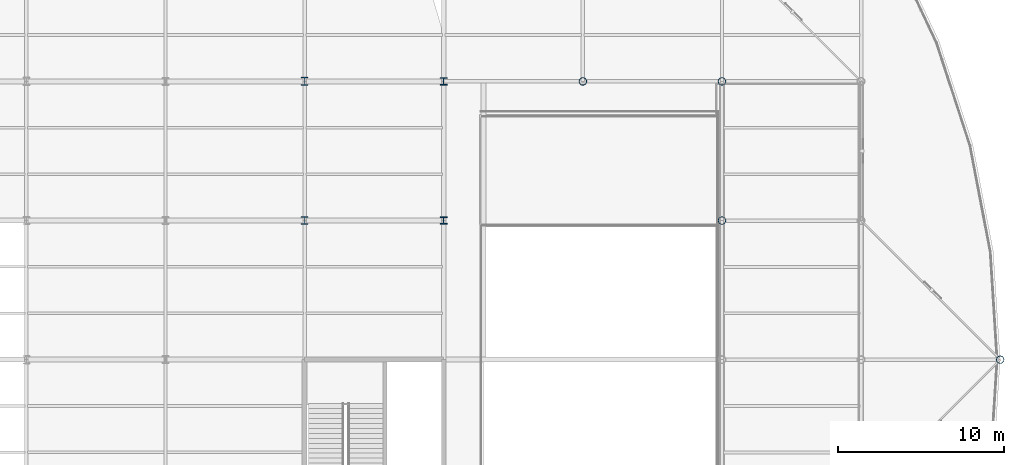
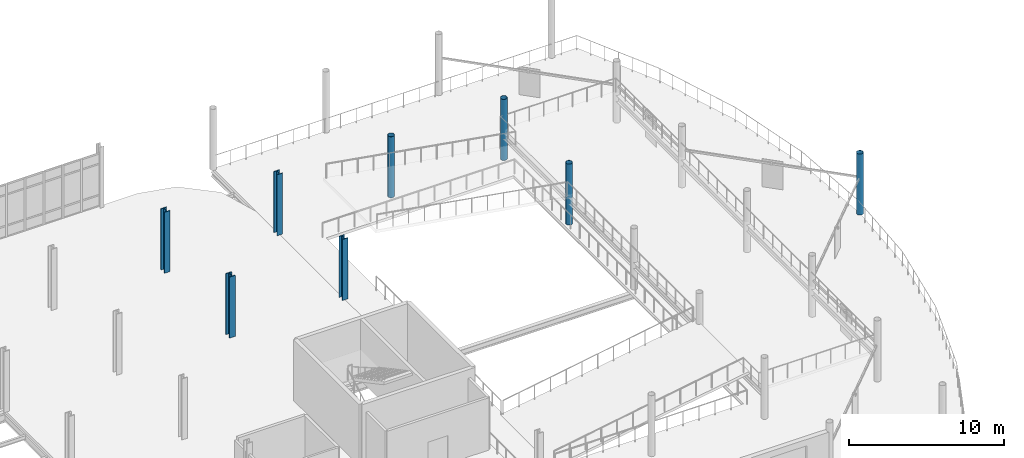
# One storey, part 20 of 145: 8 columns.
"""IFC4 building model written with IfcOpenShell, lengths in metres."""

from ifc_helpers import new_model, si_unit, direction, frame, origin, origin_2d, place, context, subcontext, project, spatial, hollow_circle, i_section, extrude, material, material_profile, profile_set, type_object, element, save


model = new_model("IFC4")

# Units and contexts
model_context = context("Model", 3, precision=1e-05, world=origin(), true_north=direction((0.0, 1.0)))
body_context = subcontext(model_context, "Body", "Model", "MODEL_VIEW")
ifc_project = project(units=[si_unit("LENGTHUNIT", "METRE"), si_unit("AREAUNIT", "SQUARE_METRE"), si_unit("VOLUMEUNIT", "CUBIC_METRE"), si_unit("PLANEANGLEUNIT", "RADIAN"), si_unit("MASSUNIT", "GRAM", prefix="KILO")], contexts=[model_context])

# Site, building, storey
site_placement = place(None, origin())
site = spatial("IfcSite", under=ifc_project, at=site_placement, CompositionType="ELEMENT")
building_placement = place(site_placement, origin())
building = spatial("IfcBuilding", under=site, at=building_placement, Name="Qalvenar Corner Mobility Hub", CompositionType="ELEMENT")
storey_placement = place(building_placement, origin())
storey = spatial("IfcBuildingStorey", under=building, at=storey_placement, Name="L00", CompositionType="ELEMENT", Elevation=0.0)

# Columns
ifc_material = material(Name="Steel S355", Category="steel")
ifc_material_profile_1 = material_profile(ifc_material, hollow_circle(Radius=0.228515625, WallThickness=0.01416015625, at=origin_2d()), Name="CHS457x14.2")
ifc_profile_set_1 = profile_set([ifc_material_profile_1], Name="Steel S355")
column_type_1 = type_object("IfcColumnType", Name="COL-CHS457", PredefinedType="COLUMN", material=ifc_profile_set_1)
for number, where, z_axis, x_axis, name in (
    (1, (151.199951171875, 109.199951171875, 0.0), (0.0, 0.0, 1.0), (1.0, 0.0, 0.0), "Steel Column L00-G19-13"),
    (2, (159.60009765625, 100.800048828125, 0.0), (0.0, 0.0, 1.0), (1.0, 0.0, 0.0), "Steel Column L00-G20-12"),
    (3, (159.60009765625, 109.199951171875, 0.0), (0.0, 0.0, 1.0), (1.0, 0.0, 0.0), "Steel Column L00-G20-13"),
    (4, (176.39990234375, 92.39990234375, 0.0), (0.0, 0.0, 1.0), (1.0, 0.0, 0.0), "Steel Column L00-G22-11"),
):
    element("IfcColumn", number, at=place(storey_placement, frame(where, z_axis=z_axis, x_axis=x_axis)), inside=storey, type_object=column_type_1, Name=name, PredefinedType="COLUMN", context=body_context, shape_type="SweptSolid", body=[
        extrude(hollow_circle(Radius=0.228515625, WallThickness=0.01416015625, at=origin_2d()), origin(), (0.0, 0.0, 1.0), 4.800048828125),
    ])
ifc_material_profile_2 = material_profile(ifc_material, i_section(OverallWidth=0.412109375, OverallDepth=0.455078125, WebThickness=0.030517578125, FlangeThickness=0.049072265625, FilletRadius=0.014892578125, at=origin_2d()), Name="HD400x421")
ifc_profile_set_2 = profile_set([ifc_material_profile_2], Name="Steel S355")
column_type_2 = type_object("IfcColumnType", Name="COL-HD400X382", PredefinedType="COLUMN", material=ifc_profile_set_2)
for number, where, z_axis, x_axis, name in (
    (5, (142.800048828125, 100.800048828125, 0.0), (0.0, 0.0, 1.0), (1.0, 0.0, 0.0), "Steel Column L00-G18-12"),
    (6, (142.800048828125, 109.199951171875, 0.0), (0.0, 0.0, 1.0), (1.0, 0.0, 0.0), "Steel Column L00-G18-13"),
):
    element("IfcColumn", number, at=place(storey_placement, frame(where, z_axis=z_axis, x_axis=x_axis)), inside=storey, type_object=column_type_2, Name=name, PredefinedType="COLUMN", context=body_context, shape_type="SweptSolid", body=[
        extrude(i_section(OverallWidth=0.412109375, OverallDepth=0.455078125, WebThickness=0.030517578125, FlangeThickness=0.049072265625, FilletRadius=0.014892578125, at=origin_2d()), origin(), (0.0, 0.0, 1.0), 4.800048828125),
    ])
ifc_material_profile_3 = material_profile(ifc_material, i_section(OverallWidth=0.419921875, OverallDepth=0.5048828125, WebThickness=0.03662109375, FlangeThickness=0.05908203125, FilletRadius=0.014892578125, at=origin_2d()), Name="HD400x551")
ifc_profile_set_3 = profile_set([ifc_material_profile_3], Name="Steel S355")
column_type_3 = type_object("IfcColumnType", Name="COL-HD400X463", PredefinedType="COLUMN", material=ifc_profile_set_3)
for number, where, z_axis, x_axis, name in (
    (7, (134.39990234375, 100.800048828125, 0.0), (0.0, 0.0, 1.0), (1.0, 0.0, 0.0), "Steel Column L00-G17-12"),
    (8, (134.39990234375, 109.199951171875, 0.0), (0.0, 0.0, 1.0), (1.0, 0.0, 0.0), "Steel Column L00-G17-13"),
):
    element("IfcColumn", number, at=place(storey_placement, frame(where, z_axis=z_axis, x_axis=x_axis)), inside=storey, type_object=column_type_3, Name=name, PredefinedType="COLUMN", context=body_context, shape_type="SweptSolid", body=[
        extrude(i_section(OverallWidth=0.419921875, OverallDepth=0.5048828125, WebThickness=0.03662109375, FlangeThickness=0.05908203125, FilletRadius=0.014892578125, at=origin_2d()), origin(), (0.0, 0.0, 1.0), 4.800048828125),
    ])

save(model, "model.ifc")
